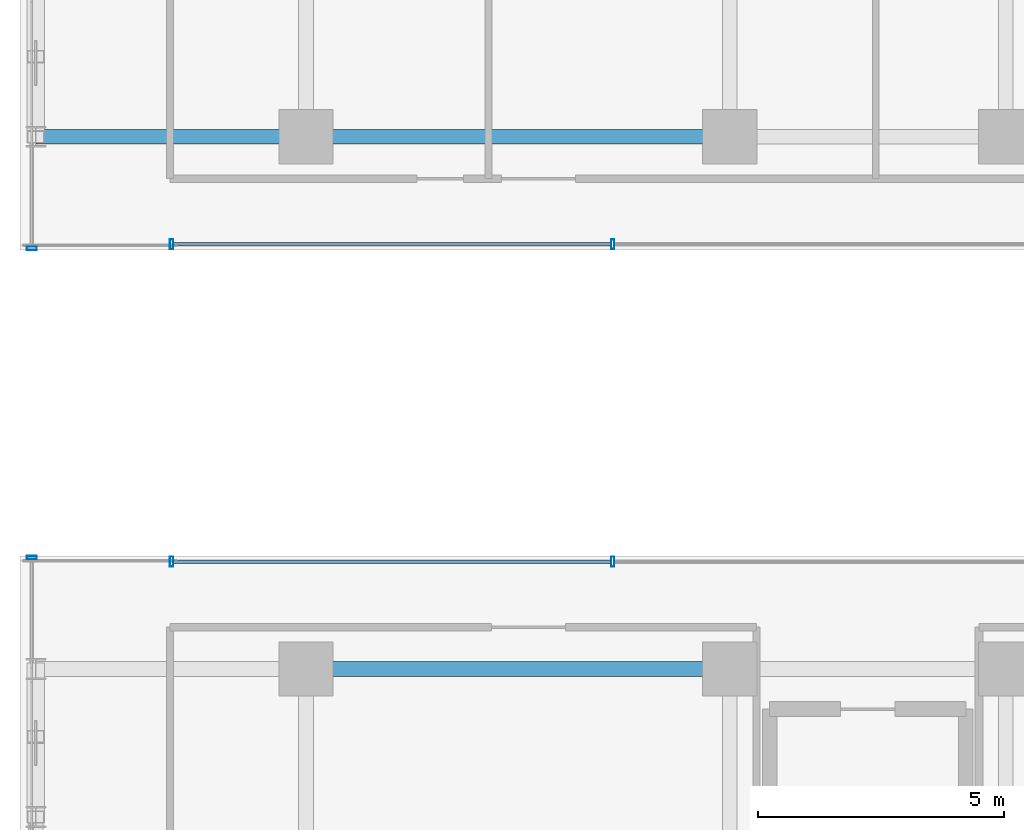
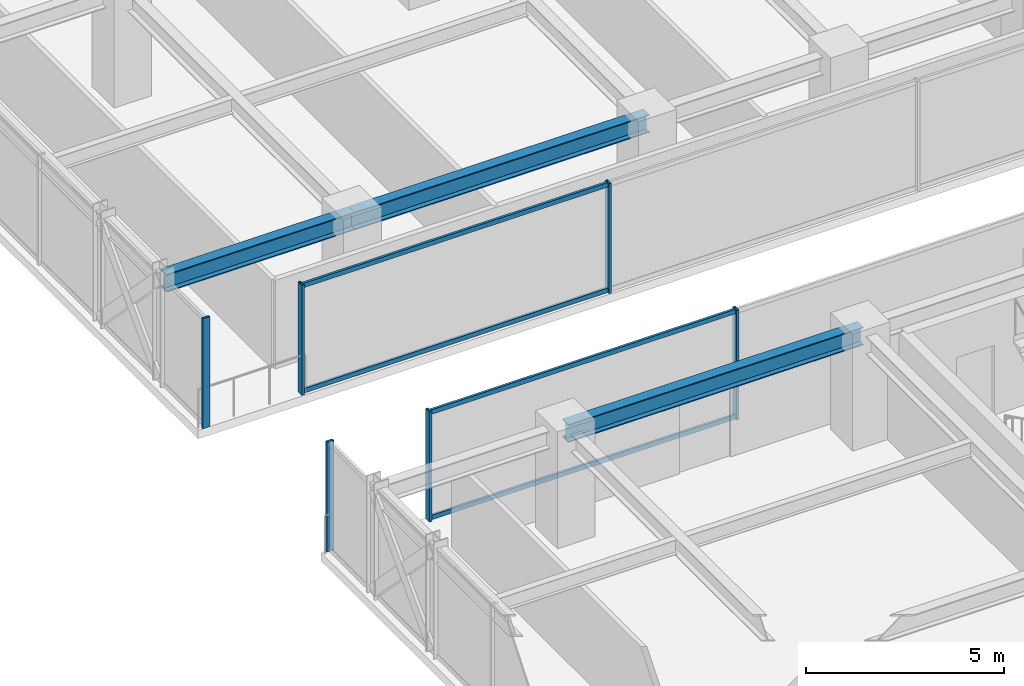
# One storey, part 7 of 38: 10 members, 3 beams, 4 elements without a shape of their own.
"""IFC4 building model written with IfcOpenShell, lengths in metres."""

from ifc_helpers import new_model, si_unit, direction, frame, origin, origin_2d, place, context, subcontext, project, spatial, hollow_rectangle, i_section, extrude, source, transform, mapped, material, material_profile, profile_set, type_object, element, aggregate, save


model = new_model("IFC4")

# Units and contexts
model_context = context("Model", 3, precision=1e-05, world=origin(), true_north=direction((0.0, 1.0)))
body_context = subcontext(model_context, "Body", "Model", "MODEL_VIEW")
ifc_project = project(units=[si_unit("LENGTHUNIT", "METRE"), si_unit("AREAUNIT", "SQUARE_METRE"), si_unit("VOLUMEUNIT", "CUBIC_METRE"), si_unit("PLANEANGLEUNIT", "RADIAN"), si_unit("MASSUNIT", "GRAM", prefix="KILO")], contexts=[model_context])

# Site, building, storey
site_placement = place(None, origin())
site = spatial("IfcSite", under=ifc_project, at=site_placement, CompositionType="ELEMENT")
building_placement = place(site_placement, origin())
building = spatial("IfcBuilding", under=site, at=building_placement, Name="Nahalor Promenade Grand Hotel", CompositionType="ELEMENT")
storey_placement = place(building_placement, frame((0.0, 0.0, 163.60009765625)))
storey = spatial("IfcBuildingStorey", under=building, at=storey_placement, Name="L41", CompositionType="ELEMENT", Elevation=163.60009765625)

# Beams
ifc_material_1 = material(Name="Steel S355JR", Category="steel")
ifc_material_profile_1 = material_profile(ifc_material_1, i_section(OverallWidth=0.3, OverallDepth=0.55, WebThickness=0.015, FlangeThickness=0.029, at=origin_2d()), Name="HEB 550")
ifc_profile_set_1 = profile_set([ifc_material_profile_1], Name="Steel S355JR")
beam_type = type_object("IfcBeamType", Name="Beam-Girder-HEB550", PredefinedType="BEAM", material=ifc_profile_set_1)
shared_shape_1 = source(origin(), body_context, "Body", "SweptSolid", [
    extrude(i_section(OverallWidth=0.3, OverallDepth=0.55, WebThickness=0.015, FlangeThickness=0.029, at=origin_2d()), origin(), (0.0, 0.0, 1.0), 8.60009765625),
])
for number, where, z_axis, x_axis, name in (
    (1, (-17.0, -5.39990234375, 3.114990234375), (1.0, 0.0, 0.0), (0.0, 1.0, 0.0), "BM-L41-GX-1-1"),
    (2, (-17.0, 5.39990234375, 3.114990234375), (1.0, 0.0, 0.0), (0.0, 1.0, 0.0), "BM-L41-GX-2-1"),
):
    element("IfcBeam", number, at=place(storey_placement, frame(where, z_axis=z_axis, x_axis=x_axis)), inside=storey, type_object=beam_type, Name=name, PredefinedType="BEAM", context=body_context, shape_type="MappedRepresentation", body=[
        mapped(shared_shape_1, transform((0.0, 0.0, 0.0), scale=1.0)),
    ])
shared_shape_2 = source(origin(), body_context, "Body", "SweptSolid", [
    extrude(i_section(OverallWidth=0.3, OverallDepth=0.55, WebThickness=0.015, FlangeThickness=0.029, at=origin_2d()), origin(), (0.0, 0.0, 1.0), 5.47998046875),
])
beam_placement = place(storey_placement, frame((-22.47998046875, 5.39990234375, 3.114990234375), z_axis=(1.0, 0.0, 0.0), x_axis=(0.0, 1.0, 0.0)))
element("IfcBeam", 3, at=beam_placement, inside=storey, type_object=beam_type, Name="BM-L41-GX-2-0", PredefinedType="BEAM", context=body_context, shape_type="MappedRepresentation", body=[
    mapped(shared_shape_2, transform((0.0, 0.0, 0.0), scale=1.0)),
])

# Curtain wall, members
ifc_material_2 = material(Name="Anodised Bronze Aluminium EN AW-6063 T6", Category="aluminium")
curtain_wall_type = type_object("IfcCurtainWallType", Name="CW3 Elliptical-Void Collar Unitised Curtain Wall", PredefinedType="USERDEFINED", material=ifc_material_2)
curtain_wall_1_placement = place(storey_placement, origin())
curtain_wall_1 = element("IfcCurtainWall", 4, at=curtain_wall_1_placement, inside=storey, type_object=curtain_wall_type, Name="L41 Curtain Wall CW-L41-VOID-WS1", ObjectType="UNITISED_CURTAIN_WALL", PredefinedType="USERDEFINED")
ifc_material_profile_2 = material_profile(ifc_material_2, hollow_rectangle(XDim=0.07, YDim=0.14, WallThickness=0.004, at=origin_2d()), Name="CWT 70x140x4")
ifc_profile_set_2 = profile_set([ifc_material_profile_2], Name="Anodised Bronze Aluminium EN AW-6063 T6")
member_type_1 = type_object("IfcMemberType", Name="CWT3 Void Collar Transom 70x140", PredefinedType="USERDEFINED", material=ifc_profile_set_2)
shared_shape_3 = source(origin(), body_context, "Body", "SweptSolid", [
    extrude(hollow_rectangle(XDim=0.07, YDim=0.14, WallThickness=0.004, at=origin_2d()), origin(), (0.0, 0.0, 1.0), 8.881591796875),
])
member_1_placement = place(storey_placement, frame((-19.68994140625, -3.219970703125, 0.06982421875), z_axis=(1.0, 0.0, 0.0), x_axis=(0.0, 1.0, 0.0)))
member_1 = element("IfcMember", 5, at=member_1_placement, type_object=member_type_1, Name="CW-L41-VOID-WS1 Transom 0-0", ObjectType="TRANSOM", PredefinedType="USERDEFINED", context=body_context, shape_type="MappedRepresentation", body=[
    mapped(shared_shape_3, transform((0.0, 0.0, 0.0), scale=1.0)),
])
member_2_placement = place(storey_placement, frame((-19.68994140625, -3.219970703125, 3.31982421875), z_axis=(1.0, 0.0, 0.0), x_axis=(0.0, 1.0, 0.0)))
member_2 = element("IfcMember", 6, at=member_2_placement, type_object=member_type_1, Name="CW-L41-VOID-WS1 Transom 0-1", ObjectType="TRANSOM", PredefinedType="USERDEFINED", context=body_context, shape_type="MappedRepresentation", body=[
    mapped(shared_shape_3, transform((0.0, 0.0, 0.0), scale=1.0)),
])

curtain_wall_2_placement = place(storey_placement, origin())
curtain_wall_2 = element("IfcCurtainWall", 7, at=curtain_wall_2_placement, inside=storey, type_object=curtain_wall_type, Name="L41 Curtain Wall CW-L41-VOID-WN1", ObjectType="UNITISED_CURTAIN_WALL", PredefinedType="USERDEFINED")
member_3_placement = place(storey_placement, frame((-19.68994140625, 3.219970703125, 0.06982421875), z_axis=(1.0, 0.0, 0.0), x_axis=(0.0, 1.0, 0.0)))
member_3 = element("IfcMember", 8, at=member_3_placement, type_object=member_type_1, Name="CW-L41-VOID-WN1 Transom 0-0", ObjectType="TRANSOM", PredefinedType="USERDEFINED", context=body_context, shape_type="MappedRepresentation", body=[
    mapped(shared_shape_3, transform((0.0, 0.0, 0.0), scale=1.0)),
])
member_4_placement = place(storey_placement, frame((-19.68994140625, 3.219970703125, 3.31982421875), z_axis=(1.0, 0.0, 0.0), x_axis=(0.0, 1.0, 0.0)))
member_4 = element("IfcMember", 9, at=member_4_placement, type_object=member_type_1, Name="CW-L41-VOID-WN1 Transom 0-1", ObjectType="TRANSOM", PredefinedType="USERDEFINED", context=body_context, shape_type="MappedRepresentation", body=[
    mapped(shared_shape_3, transform((0.0, 0.0, 0.0), scale=1.0)),
])

# Curtain wall, member
curtain_wall_3_placement = place(storey_placement, origin())
curtain_wall_3 = element("IfcCurtainWall", 10, at=curtain_wall_3_placement, inside=storey, type_object=curtain_wall_type, Name="L41 Curtain Wall CW-L41-W-1", ObjectType="UNITISED_CURTAIN_WALL", PredefinedType="USERDEFINED")
ifc_material_profile_3 = material_profile(ifc_material_2, hollow_rectangle(XDim=0.07, YDim=0.2, WallThickness=0.005, at=origin_2d()), Name="CWM 70x200x5")
ifc_profile_set_3 = profile_set([ifc_material_profile_3], Name="Anodised Bronze Aluminium EN AW-6063 T6")
member_type_2 = type_object("IfcMemberType", Name="CWM3 Void Collar Mullion 70x200", PredefinedType="MULLION", material=ifc_profile_set_3)
shared_shape_4 = source(origin(), body_context, "Body", "SweptSolid", [
    extrude(hollow_rectangle(XDim=0.07, YDim=0.2, WallThickness=0.005, at=origin_2d()), origin(), (0.0, 0.0, 1.0), 3.389892578125),
])
member_5_placement = place(storey_placement, frame((-22.56005859375, -3.135009765625, 0.0), z_axis=(0.0, 0.0, 1.0), x_axis=(0.0, 1.0, 0.0)))
member_5 = element("IfcMember", 11, at=member_5_placement, type_object=member_type_2, Name="CW-L41-W-1 Mullion 2", PredefinedType="MULLION", context=body_context, shape_type="MappedRepresentation", body=[
    mapped(shared_shape_4, transform((0.0, 0.0, 0.0), scale=1.0)),
])
aggregate(curtain_wall_3, [member_5])

curtain_wall_4_placement = place(storey_placement, origin())
curtain_wall_4 = element("IfcCurtainWall", 12, at=curtain_wall_4_placement, inside=storey, type_object=curtain_wall_type, Name="L41 Curtain Wall CW-L41-W-2", ObjectType="UNITISED_CURTAIN_WALL", PredefinedType="USERDEFINED")
member_6_placement = place(storey_placement, frame((-22.56005859375, 3.135009765625, 0.0), z_axis=(0.0, 0.0, 1.0), x_axis=(0.0, 1.0, 0.0)))
member_6 = element("IfcMember", 13, at=member_6_placement, type_object=member_type_2, Name="CW-L41-W-2 Mullion 0", PredefinedType="MULLION", context=body_context, shape_type="MappedRepresentation", body=[
    mapped(shared_shape_4, transform((0.0, 0.0, 0.0), scale=1.0)),
])
aggregate(curtain_wall_4, [member_6])

# Member
member_7_placement = place(storey_placement, frame((-19.72509765625, -3.219970703125, 0.0), z_axis=(0.0, 0.0, 1.0), x_axis=(1.0, 0.0, 0.0)))
member_7 = element("IfcMember", 14, at=member_7_placement, type_object=member_type_2, Name="CW-L41-VOID-WS1 Mullion 0", PredefinedType="MULLION", context=body_context, shape_type="MappedRepresentation", body=[
    mapped(shared_shape_4, transform((0.0, 0.0, 0.0), scale=1.0)),
])

member_8_placement = place(storey_placement, frame((-10.7734375, -3.219970703125, 0.0), z_axis=(0.0, 0.0, 1.0), x_axis=(1.0, 0.0, 0.0)))
member_8 = element("IfcMember", 15, at=member_8_placement, type_object=member_type_2, Name="CW-L41-VOID-WS1 Mullion 1", PredefinedType="MULLION", context=body_context, shape_type="MappedRepresentation", body=[
    mapped(shared_shape_4, transform((0.0, 0.0, 0.0), scale=1.0)),
])

aggregate(curtain_wall_1, [member_7, member_8, member_1, member_2])

member_9_placement = place(storey_placement, frame((-19.72509765625, 3.219970703125, 0.0), z_axis=(0.0, 0.0, 1.0), x_axis=(1.0, 0.0, 0.0)))
member_9 = element("IfcMember", 16, at=member_9_placement, type_object=member_type_2, Name="CW-L41-VOID-WN1 Mullion 0", PredefinedType="MULLION", context=body_context, shape_type="MappedRepresentation", body=[
    mapped(shared_shape_4, transform((0.0, 0.0, 0.0), scale=1.0)),
])

member_10_placement = place(storey_placement, frame((-10.7734375, 3.219970703125, 0.0), z_axis=(0.0, 0.0, 1.0), x_axis=(1.0, 0.0, 0.0)))
member_10 = element("IfcMember", 17, at=member_10_placement, type_object=member_type_2, Name="CW-L41-VOID-WN1 Mullion 1", PredefinedType="MULLION", context=body_context, shape_type="MappedRepresentation", body=[
    mapped(shared_shape_4, transform((0.0, 0.0, 0.0), scale=1.0)),
])

aggregate(curtain_wall_2, [member_9, member_10, member_3, member_4])

save(model, "model.ifc")
